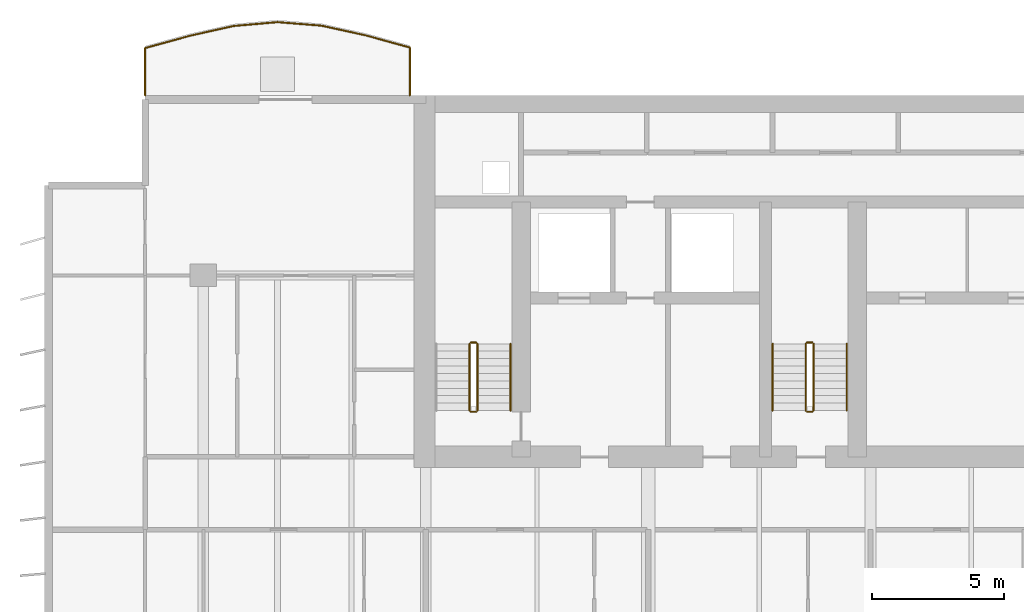
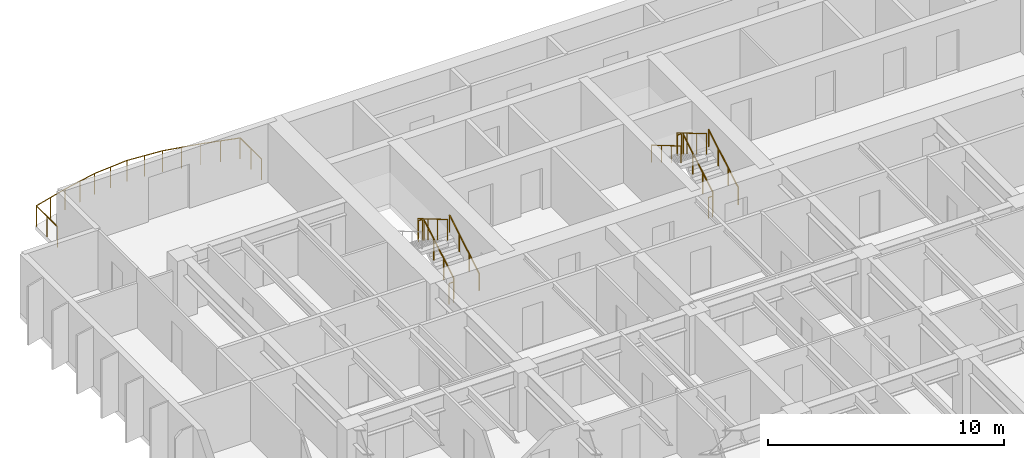
# One storey, part 14 of 16: 12 railings.
"""IFC4 building model written with IfcOpenShell, lengths in metres."""

from ifc_helpers import new_model, si_unit, direction, frame, origin, origin_2d, place, context, subcontext, project, spatial, circle, extrude, material, type_object, element, save


model = new_model("IFC4")

# Units and contexts
model_context = context("Model", 3, precision=1e-05, world=origin(), true_north=direction((0.0, 1.0)))
body_context = subcontext(model_context, "Body", "Model", "MODEL_VIEW")
ifc_project = project(units=[si_unit("LENGTHUNIT", "METRE"), si_unit("AREAUNIT", "SQUARE_METRE"), si_unit("VOLUMEUNIT", "CUBIC_METRE"), si_unit("PLANEANGLEUNIT", "RADIAN"), si_unit("MASSUNIT", "GRAM", prefix="KILO")], contexts=[model_context])

# Site, building, storey
site_placement = place(None, origin())
site = spatial("IfcSite", under=ifc_project, at=site_placement, CompositionType="ELEMENT")
building_placement = place(site_placement, origin())
building = spatial("IfcBuilding", under=site, at=building_placement, Name="Caelmar Bay Residences", CompositionType="ELEMENT")
storey_placement = place(building_placement, frame((0.0, 0.0, 145.5)))
storey = spatial("IfcBuildingStorey", under=building, at=storey_placement, Name="L40", CompositionType="ELEMENT", Elevation=145.5)

# Railings
ifc_material_1 = material(Name="Anodised bronze handrail with laminated hurricane glass infill", Category="glass")
railing_type_1 = type_object("IfcRailingType", Name="RL-BAL-1100", PredefinedType="BALUSTRADE", material=ifc_material_1)
railing_1_placement = place(storey_placement, frame((17.699951171875, 50.60009765625, 0.0)))
element("IfcRailing", 1, at=railing_1_placement, inside=storey, type_object=railing_type_1, Name="L40 north_west Balcony Balustrade", PredefinedType="BALUSTRADE", context=body_context, shape_type="SweptSolid", body=[
    extrude(circle(Radius=0.02392578125, at=origin_2d()), frame((0.0, 0.0, 1.076171875), z_axis=(0.0, 1.0, 0.0), x_axis=(-1.0, 0.0, 0.0)), (0.0, 0.0, 1.0), 1.8095703125),
    extrude(circle(Radius=0.02392578125, at=origin_2d()), frame((0.0, 1.8095703125, 1.076171875), z_axis=(-0.964003851304, 0.265888274792, 0.0), x_axis=(-0.265888274792, -0.964003851304, 0.0)), (0.0, 0.0, 1.0), 1.72900390625),
    extrude(circle(Radius=0.02392578125, at=origin_2d()), frame((-1.666748046875, 2.269287109375, 1.076171875), z_axis=(-0.97672606775, 0.214490532604, 0.0), x_axis=(-0.214490532604, -0.97672606775, 0.0)), (0.0, 0.0, 1.0), 1.706298828125),
    extrude(circle(Radius=0.02392578125, at=origin_2d()), frame((-3.333251953125, 2.63525390625, 1.076171875), z_axis=(-0.996758858584, 0.080447360639, 0.0), x_axis=(-0.080447360639, -0.996758858584, 0.0)), (0.0, 0.0, 1.0), 1.672119140625),
    extrude(circle(Radius=0.02392578125, at=origin_2d()), frame((-5.0, 2.769775390625, 1.076171875), z_axis=(-0.99610915751, -0.088128011006, 0.0), x_axis=(0.088128011006, -0.99610915751, 0.0)), (0.0, 0.0, 1.0), 1.67333984375),
    extrude(circle(Radius=0.02392578125, at=origin_2d()), frame((-6.666748046875, 2.622314453125, 1.076171875), z_axis=(-0.975696921585, -0.219124433166, 0.0), x_axis=(0.219124433166, -0.975696921585, 0.0)), (0.0, 0.0, 1.0), 1.7080078125),
    extrude(circle(Radius=0.02392578125, at=origin_2d()), frame((-8.333251953125, 2.248046875, 1.076171875), z_axis=(-0.963967650546, -0.266019489326, 0.0), x_axis=(0.266019489326, -0.963967650546, 0.0)), (0.0, 0.0, 1.0), 1.72900390625),
    extrude(circle(Radius=0.02392578125, at=origin_2d()), frame((-10.0, 1.7880859375, 1.076171875), z_axis=(0.0, -1.0, 0.0), x_axis=(1.0, 0.0, 0.0)), (0.0, 0.0, 1.0), 1.7880859375),
    extrude(circle(Radius=0.02099609375, at=origin_2d()), origin(), (0.0, 0.0, 1.0), 1.052001953125),
    extrude(circle(Radius=0.02099609375, at=origin_2d()), frame((0.0, 0.90478515625, 0.0)), (0.0, 0.0, 1.0), 1.052001953125),
    extrude(circle(Radius=0.02099609375, at=origin_2d()), frame((0.0, 1.8095703125, 0.0)), (0.0, 0.0, 1.0), 1.052001953125),
    extrude(circle(Radius=0.02099609375, at=origin_2d()), frame((-0.83349609375, 2.03955078125, 0.0)), (0.0, 0.0, 1.0), 1.052001953125),
    extrude(circle(Radius=0.02099609375, at=origin_2d()), frame((-1.666748046875, 2.269287109375, 0.0)), (0.0, 0.0, 1.0), 1.052001953125),
    extrude(circle(Radius=0.02099609375, at=origin_2d()), frame((-2.5, 2.4521484375, 0.0)), (0.0, 0.0, 1.0), 1.052001953125),
    extrude(circle(Radius=0.02099609375, at=origin_2d()), frame((-3.333251953125, 2.63525390625, 0.0)), (0.0, 0.0, 1.0), 1.052001953125),
    extrude(circle(Radius=0.02099609375, at=origin_2d()), frame((-4.16650390625, 2.70263671875, 0.0)), (0.0, 0.0, 1.0), 1.052001953125),
    extrude(circle(Radius=0.02099609375, at=origin_2d()), frame((-5.0, 2.769775390625, 0.0)), (0.0, 0.0, 1.0), 1.052001953125),
    extrude(circle(Radius=0.02099609375, at=origin_2d()), frame((-5.83349609375, 2.696044921875, 0.0)), (0.0, 0.0, 1.0), 1.052001953125),
    extrude(circle(Radius=0.02099609375, at=origin_2d()), frame((-6.666748046875, 2.622314453125, 0.0)), (0.0, 0.0, 1.0), 1.052001953125),
    extrude(circle(Radius=0.02099609375, at=origin_2d()), frame((-7.5, 2.43505859375, 0.0)), (0.0, 0.0, 1.0), 1.052001953125),
    extrude(circle(Radius=0.02099609375, at=origin_2d()), frame((-8.333251953125, 2.248046875, 0.0)), (0.0, 0.0, 1.0), 1.052001953125),
    extrude(circle(Radius=0.02099609375, at=origin_2d()), frame((-9.16650390625, 2.01806640625, 0.0)), (0.0, 0.0, 1.0), 1.052001953125),
    extrude(circle(Radius=0.02099609375, at=origin_2d()), frame((-10.0, 1.7880859375, 0.0)), (0.0, 0.0, 1.0), 1.052001953125),
    extrude(circle(Radius=0.02099609375, at=origin_2d()), frame((-10.0, 0.89404296875, 0.0)), (0.0, 0.0, 1.0), 1.052001953125),
    extrude(circle(Radius=0.02099609375, at=origin_2d()), frame((-10.0, 0.0, 0.0)), (0.0, 0.0, 1.0), 1.052001953125),
])
ifc_material_2 = material(Name="Painted galvanized steel stair guard 1100 mm", Category="steel")
railing_type_2 = type_object("IfcRailingType", Name="RL-GRD-1100", PredefinedType="GUARDRAIL", material=ifc_material_2)
railing_2_placement = place(storey_placement, frame((20.25, 38.699951171875, 0.1650390625)))
element("IfcRailing", 2, at=railing_2_placement, inside=storey, type_object=railing_type_2, Name="L40 ST1 stair guard 1", PredefinedType="GUARDRAIL", context=body_context, shape_type="SweptSolid", body=[
    extrude(circle(Radius=0.02392578125, at=origin_2d()), frame((0.0, 0.0, 1.076171875), z_axis=(0.0, 0.861560626758, 0.507654692109), x_axis=(-1.0, 0.0, 0.0)), (0.0, 0.0, 1.0), 2.925048828125),
    extrude(circle(Radius=0.02099609375, at=origin_2d()), origin(), (0.0, 0.0, 1.0), 1.052001953125),
    extrude(circle(Radius=0.02099609375, at=origin_2d()), frame((0.0, 0.840087890625, 0.494873046875)), (0.0, 0.0, 1.0), 1.052001953125),
    extrude(circle(Radius=0.02099609375, at=origin_2d()), frame((0.0, 1.679931640625, 0.989990234375)), (0.0, 0.0, 1.0), 1.052001953125),
    extrude(circle(Radius=0.02099609375, at=origin_2d()), frame((0.0, 2.52001953125, 1.48486328125)), (0.0, 0.0, 1.0), 1.052001953125),
])
railing_3_placement = place(storey_placement, frame((20.199951171875, 41.27001953125, 1.64990234375)))
element("IfcRailing", 3, at=railing_3_placement, inside=storey, type_object=railing_type_2, Name="L40 ST1 stair guard 2", PredefinedType="GUARDRAIL", context=body_context, shape_type="SweptSolid", body=[
    extrude(circle(Radius=0.02392578125, at=origin_2d()), frame((0.0, 0.0, 1.076171875), z_axis=(-1.0, 0.0, 0.0), x_axis=(0.0, -1.0, 0.0)), (0.0, 0.0, 1.0), 0.199951171875),
    extrude(circle(Radius=0.02099609375, at=origin_2d()), origin(), (0.0, 0.0, 1.0), 1.052001953125),
    extrude(circle(Radius=0.02099609375, at=origin_2d()), frame((-0.199951171875, 0.0, 0.0)), (0.0, 0.0, 1.0), 1.052001953125),
])
railing_4_placement = place(storey_placement, frame((19.949951171875, 41.219970703125, 1.81494140625)))
element("IfcRailing", 4, at=railing_4_placement, inside=storey, type_object=railing_type_2, Name="L40 ST1 stair guard 3", PredefinedType="GUARDRAIL", context=body_context, shape_type="SweptSolid", body=[
    extrude(circle(Radius=0.02392578125, at=origin_2d()), frame((0.0, 0.0, 1.076171875), z_axis=(0.0, -0.86152411907, 0.507716645641), x_axis=(1.0, 0.0, 0.0)), (0.0, 0.0, 1.0), 2.925048828125),
    extrude(circle(Radius=0.02099609375, at=origin_2d()), origin(), (0.0, 0.0, 1.0), 1.052001953125),
    extrude(circle(Radius=0.02099609375, at=origin_2d()), frame((0.0, -0.840087890625, 0.4951171875)), (0.0, 0.0, 1.0), 1.052001953125),
    extrude(circle(Radius=0.02099609375, at=origin_2d()), frame((0.0, -1.679931640625, 0.989990234375)), (0.0, 0.0, 1.0), 1.052001953125),
    extrude(circle(Radius=0.02099609375, at=origin_2d()), frame((0.0, -2.52001953125, 1.485107421875)), (0.0, 0.0, 1.0), 1.052001953125),
])
railing_5_placement = place(storey_placement, frame((20.199951171875, 38.64990234375, 0.0)))
element("IfcRailing", 5, at=railing_5_placement, inside=storey, type_object=railing_type_2, Name="L40 ST1 stair guard 4", PredefinedType="GUARDRAIL", context=body_context, shape_type="SweptSolid", body=[
    extrude(circle(Radius=0.02392578125, at=origin_2d()), frame((0.0, 0.0, 1.076171875), z_axis=(-1.0, 0.0, 0.0), x_axis=(0.0, -1.0, 0.0)), (0.0, 0.0, 1.0), 0.199951171875),
    extrude(circle(Radius=0.02099609375, at=origin_2d()), origin(), (0.0, 0.0, 1.0), 1.052001953125),
    extrude(circle(Radius=0.02099609375, at=origin_2d()), frame((-0.199951171875, 0.0, 0.0)), (0.0, 0.0, 1.0), 1.052001953125),
])
railing_6_placement = place(storey_placement, frame((32.949951171875, 38.699951171875, 0.1650390625)))
element("IfcRailing", 6, at=railing_6_placement, inside=storey, type_object=railing_type_2, Name="L40 ST3 stair guard 1", PredefinedType="GUARDRAIL", context=body_context, shape_type="SweptSolid", body=[
    extrude(circle(Radius=0.02392578125, at=origin_2d()), frame((0.0, 0.0, 1.076171875), z_axis=(0.0, 0.861560626758, 0.507654692109), x_axis=(-1.0, 0.0, 0.0)), (0.0, 0.0, 1.0), 2.925048828125),
    extrude(circle(Radius=0.02099609375, at=origin_2d()), origin(), (0.0, 0.0, 1.0), 1.052001953125),
    extrude(circle(Radius=0.02099609375, at=origin_2d()), frame((0.0, 0.840087890625, 0.494873046875)), (0.0, 0.0, 1.0), 1.052001953125),
    extrude(circle(Radius=0.02099609375, at=origin_2d()), frame((0.0, 1.679931640625, 0.989990234375)), (0.0, 0.0, 1.0), 1.052001953125),
    extrude(circle(Radius=0.02099609375, at=origin_2d()), frame((0.0, 2.52001953125, 1.48486328125)), (0.0, 0.0, 1.0), 1.052001953125),
])
railing_7_placement = place(storey_placement, frame((32.89990234375, 41.27001953125, 1.64990234375)))
element("IfcRailing", 7, at=railing_7_placement, inside=storey, type_object=railing_type_2, Name="L40 ST3 stair guard 2", PredefinedType="GUARDRAIL", context=body_context, shape_type="SweptSolid", body=[
    extrude(circle(Radius=0.02392578125, at=origin_2d()), frame((0.0, 0.0, 1.076171875), z_axis=(-1.0, 0.0, 0.0), x_axis=(0.0, -1.0, 0.0)), (0.0, 0.0, 1.0), 0.199951171875),
    extrude(circle(Radius=0.02099609375, at=origin_2d()), origin(), (0.0, 0.0, 1.0), 1.052001953125),
    extrude(circle(Radius=0.02099609375, at=origin_2d()), frame((-0.199951171875, 0.0, 0.0)), (0.0, 0.0, 1.0), 1.052001953125),
])
railing_8_placement = place(storey_placement, frame((32.64990234375, 41.219970703125, 1.81494140625)))
element("IfcRailing", 8, at=railing_8_placement, inside=storey, type_object=railing_type_2, Name="L40 ST3 stair guard 3", PredefinedType="GUARDRAIL", context=body_context, shape_type="SweptSolid", body=[
    extrude(circle(Radius=0.02392578125, at=origin_2d()), frame((0.0, 0.0, 1.076171875), z_axis=(0.0, -0.86152411907, 0.507716645641), x_axis=(1.0, 0.0, 0.0)), (0.0, 0.0, 1.0), 2.925048828125),
    extrude(circle(Radius=0.02099609375, at=origin_2d()), origin(), (0.0, 0.0, 1.0), 1.052001953125),
    extrude(circle(Radius=0.02099609375, at=origin_2d()), frame((0.0, -0.840087890625, 0.4951171875)), (0.0, 0.0, 1.0), 1.052001953125),
    extrude(circle(Radius=0.02099609375, at=origin_2d()), frame((0.0, -1.679931640625, 0.989990234375)), (0.0, 0.0, 1.0), 1.052001953125),
    extrude(circle(Radius=0.02099609375, at=origin_2d()), frame((0.0, -2.52001953125, 1.485107421875)), (0.0, 0.0, 1.0), 1.052001953125),
])
railing_9_placement = place(storey_placement, frame((32.89990234375, 38.64990234375, 0.0)))
element("IfcRailing", 9, at=railing_9_placement, inside=storey, type_object=railing_type_2, Name="L40 ST3 stair guard 4", PredefinedType="GUARDRAIL", context=body_context, shape_type="SweptSolid", body=[
    extrude(circle(Radius=0.02392578125, at=origin_2d()), frame((0.0, 0.0, 1.076171875), z_axis=(-1.0, 0.0, 0.0), x_axis=(0.0, -1.0, 0.0)), (0.0, 0.0, 1.0), 0.199951171875),
    extrude(circle(Radius=0.02099609375, at=origin_2d()), origin(), (0.0, 0.0, 1.0), 1.052001953125),
    extrude(circle(Radius=0.02099609375, at=origin_2d()), frame((-0.199951171875, 0.0, 0.0)), (0.0, 0.0, 1.0), 1.052001953125),
])
ifc_material_3 = material(Name="Brushed bronze stainless-steel tubular handrail 900 mm", Category="steel")
railing_type_3 = type_object("IfcRailingType", Name="RL-HND-900", PredefinedType="HANDRAIL", material=ifc_material_3)
for number, where, name in (
    (10, (21.5, 38.699951171875, 0.1650390625), "L40 ST1 stair handrail 1"),
    (11, (34.199951171875, 38.699951171875, 0.1650390625), "L40 ST3 stair handrail 1"),
):
    element("IfcRailing", number, at=place(storey_placement, frame(where)), inside=storey, type_object=railing_type_3, Name=name, PredefinedType="HANDRAIL", context=body_context, shape_type="SweptSolid", body=[
        extrude(circle(Radius=0.02392578125, at=origin_2d()), frame((0.0, 0.0, 0.8759765625), z_axis=(0.0, 0.861560626758, 0.507654692109), x_axis=(-1.0, 0.0, 0.0)), (0.0, 0.0, 1.0), 2.925048828125),
        extrude(circle(Radius=0.02099609375, at=origin_2d()), origin(), (0.0, 0.0, 1.0), 0.851806640625),
        extrude(circle(Radius=0.02099609375, at=origin_2d()), frame((0.0, 0.840087890625, 0.494873046875)), (0.0, 0.0, 1.0), 0.851806640625),
        extrude(circle(Radius=0.02099609375, at=origin_2d()), frame((0.0, 1.679931640625, 0.989990234375)), (0.0, 0.0, 1.0), 0.851806640625),
        extrude(circle(Radius=0.02099609375, at=origin_2d()), frame((0.0, 2.52001953125, 1.48486328125)), (0.0, 0.0, 1.0), 0.851806640625),
    ])
railing_10_placement = place(storey_placement, frame((31.39990234375, 41.219970703125, 1.81494140625)))
element("IfcRailing", 12, at=railing_10_placement, inside=storey, type_object=railing_type_3, Name="L40 ST3 stair handrail 2", PredefinedType="HANDRAIL", context=body_context, shape_type="SweptSolid", body=[
    extrude(circle(Radius=0.02392578125, at=origin_2d()), frame((0.0, 0.0, 0.8759765625), z_axis=(0.0, -0.86152411907, 0.507716645641), x_axis=(1.0, 0.0, 0.0)), (0.0, 0.0, 1.0), 2.925048828125),
    extrude(circle(Radius=0.02099609375, at=origin_2d()), origin(), (0.0, 0.0, 1.0), 0.851806640625),
    extrude(circle(Radius=0.02099609375, at=origin_2d()), frame((0.0, -0.840087890625, 0.4951171875)), (0.0, 0.0, 1.0), 0.851806640625),
    extrude(circle(Radius=0.02099609375, at=origin_2d()), frame((0.0, -1.679931640625, 0.989990234375)), (0.0, 0.0, 1.0), 0.851806640625),
    extrude(circle(Radius=0.02099609375, at=origin_2d()), frame((0.0, -2.52001953125, 1.485107421875)), (0.0, 0.0, 1.0), 0.851806640625),
])

save(model, "model.ifc")
